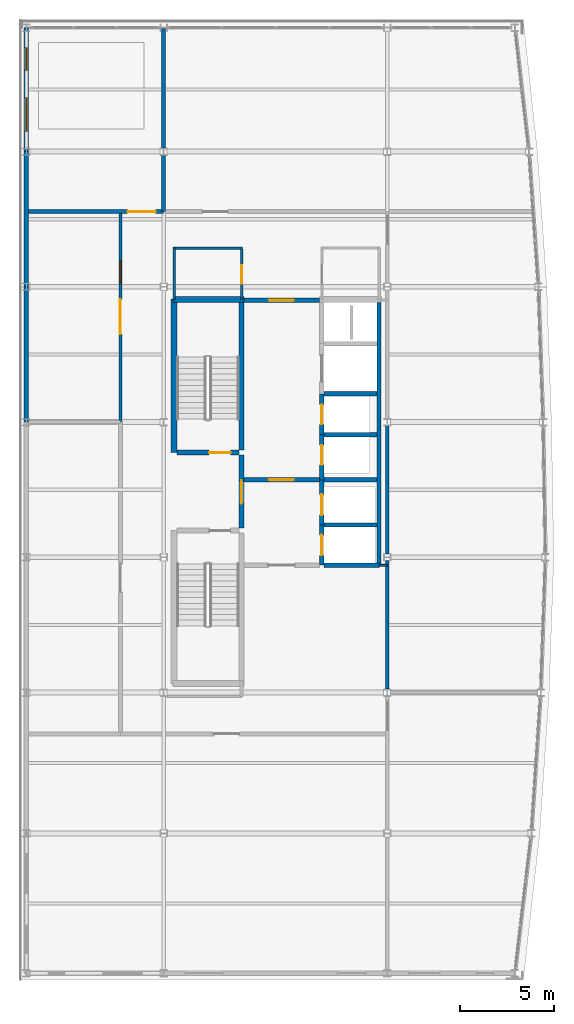
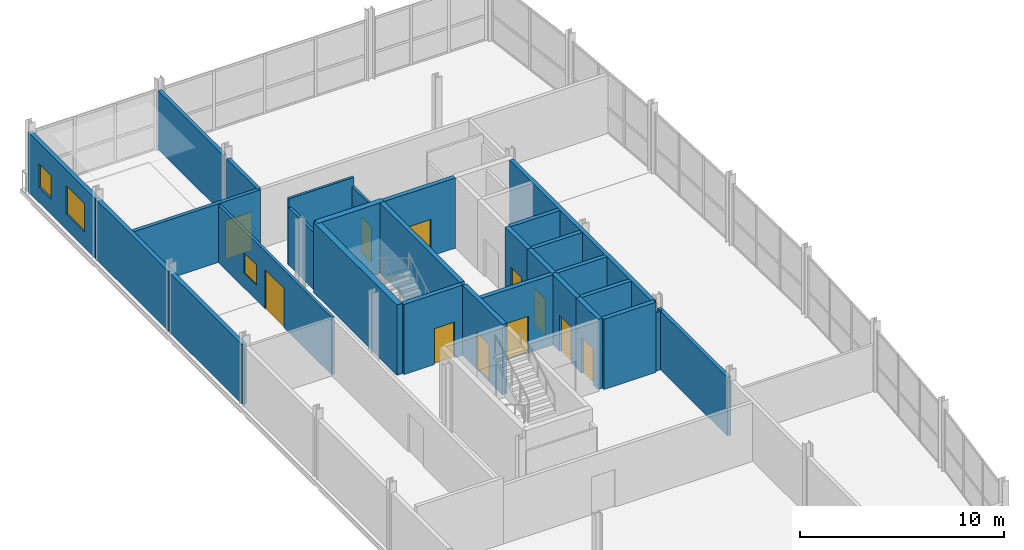
# One storey, part 16 of 20: 30 walls, 11 doors, 3 windows, 14 openings.
"""IFC4 building model written with IfcOpenShell, lengths in metres."""

from ifc_helpers import new_model, si_unit, direction, frame, frame_2d, origin, place, context, subcontext, project, spatial, rectangle, extrude, material, layer, layer_set, type_object, element, fill, save


model = new_model("IFC4")

# Units and contexts
model_context = context("Model", 3, precision=1e-05, world=origin(), true_north=direction((0.0, 1.0)))
body_context = subcontext(model_context, "Body", "Model", "MODEL_VIEW")
ifc_project = project(units=[si_unit("LENGTHUNIT", "METRE"), si_unit("AREAUNIT", "SQUARE_METRE"), si_unit("VOLUMEUNIT", "CUBIC_METRE"), si_unit("PLANEANGLEUNIT", "RADIAN"), si_unit("MASSUNIT", "GRAM", prefix="KILO")], contexts=[model_context])

# Site, building, storey
site_placement = place(None, origin())
site = spatial("IfcSite", under=ifc_project, at=site_placement, CompositionType="ELEMENT")
building_placement = place(site_placement, origin())
building = spatial("IfcBuilding", under=site, at=building_placement, Name="Quillay Park Conservatory", CompositionType="ELEMENT")
storey_placement = place(building_placement, frame((0.0, 0.0, 30.89990234375)))
storey = spatial("IfcBuildingStorey", under=building, at=storey_placement, Name="L07", CompositionType="ELEMENT", Elevation=30.89990234375)

# Wall
ifc_material_1 = material(Name="Steel-Stud Acoustic Gypsum Board Partition", Category="steel")
ifc_layer_1 = layer(ifc_material_1, 0.10498046875)
ifc_layer_set_1 = layer_set([ifc_layer_1], Name="ACOUSTIC GYPSUM PARTITION 105 (Steel-Stud Acoustic Gypsum Board Partition)")
wall_type_1 = type_object("IfcWallType", Name="ACOUSTIC GYPSUM PARTITION 105", PredefinedType="PARTITIONING", material=ifc_layer_set_1)
wall_1_placement = place(storey_placement, frame((19.320068359375, 84.77490234375, 0.0), z_axis=(0.0, 0.0, 1.0), x_axis=(1.0, 0.0, 0.0)))
element("IfcWall", 1, at=wall_1_placement, inside=storey, type_object=wall_type_1, Name="L07 Core South-East Closure", PredefinedType="PARTITIONING", context=body_context, shape_type="SweptSolid", body=[
    extrude(rectangle(XDim=0.429931640625, YDim=0.10498046875, at=frame_2d((0.21484375, 0.0))), origin(), (0.0, 0.0, 1.0), 3.51220703125),
])

# Wall, opening, door
ifc_material_2 = material(Name="Steel-Stud Acoustic Gypsum Board Partition", Category="steel")
ifc_layer_2 = layer(ifc_material_2, 0.1298828125)
ifc_layer_set_2 = layer_set([ifc_layer_2], Name="ACOUSTIC GYPSUM PARTITION 130 (Steel-Stud Acoustic Gypsum Board Partition)")
wall_type_2 = type_object("IfcWallType", Name="ACOUSTIC GYPSUM PARTITION 130", PredefinedType="PARTITIONING", material=ifc_layer_set_2)
wall_2_placement = place(storey_placement, frame((12.0, 101.60009765625, 0.0), z_axis=(0.0, 0.0, 1.0), x_axis=(0.0, -1.0, 0.0)))
wall_2 = element("IfcWall", 2, at=wall_2_placement, inside=storey, type_object=wall_type_2, Name="L07 Accessible WC Door Wall", PredefinedType="PARTITIONING", context=body_context, shape_type="SweptSolid", body=[
    extrude(rectangle(XDim=2.68017578125, YDim=0.1298828125, at=frame_2d((1.340087890625, 0.0))), origin(), (0.0, 0.0, 1.0), 3.43603515625),
])
opening_1_placement = place(wall_2_placement, frame((0.85009765625, 0.0, 0.0)))
opening_1 = element("IfcOpeningElement", 3, at=opening_1_placement, cuts=wall_2, Name="Opening D-RM03", PredefinedType="OPENING", context=body_context, shape_type="SweptSolid", body=[
    extrude(rectangle(XDim=0.97998046875, YDim=2.10009765625, at=frame_2d((0.489990234375, 1.050048828125))), frame((0.0, 0.06494140625, 0.0), z_axis=(0.0, -1.0, 0.0), x_axis=(1.0, 0.0, 0.0)), (0.0, 0.0, 1.0), 0.1298828125),
])
ifc_material_3 = material(Name="Thermally Broken Anodised Aluminium 6063-T6", Category="aluminium")
door_type_1 = type_object("IfcDoorType", Name="SINGLE SWING DOOR 980 X2100", OperationType="NOTDEFINED", PredefinedType="DOOR", material=ifc_material_3)
door_1_placement = place(opening_1_placement, origin())
door_1 = element("IfcDoor", 4, at=door_1_placement, inside=storey, type_object=door_type_1, Name="L07 Door to L07 Accessible WC", OperationType="SINGLE_SWING_LEFT", OverallHeight=2.10009765625, OverallWidth=0.97998046875, PredefinedType="DOOR", context=body_context, shape_type="SweptSolid", body=[
    extrude(rectangle(XDim=0.97998046875, YDim=2.10009765625, at=frame_2d((0.489990234375, 1.050048828125))), frame((0.0, 0.02490234375, 0.0), z_axis=(0.0, -1.0, 0.0), x_axis=(1.0, 0.0, 0.0)), (0.0, 0.0, 1.0), 0.050048828125),
])
fill(opening_1, door_1)

# Walls
ifc_material_4 = material(Name="Steel-Stud Acoustic Gypsum Board Partition", Category="steel")
ifc_layer_3 = layer(ifc_material_4, 0.139892578125)
ifc_layer_set_3 = layer_set([ifc_layer_3], Name="ACOUSTIC GYPSUM PARTITION 140 (Steel-Stud Acoustic Gypsum Board Partition)")
wall_type_3 = type_object("IfcWallType", Name="ACOUSTIC GYPSUM PARTITION 140", PredefinedType="PARTITIONING", material=ifc_layer_set_3)
wall_3_placement = place(storey_placement, frame((8.360107421875, 101.659912109375, 0.0), z_axis=(0.0, 0.0, 1.0), x_axis=(1.0, 0.0, 0.0)))
element("IfcWall", 5, at=wall_3_placement, inside=storey, type_object=wall_type_3, Name="L07 Accessible WC North Wall", PredefinedType="PARTITIONING", context=body_context, shape_type="SweptSolid", body=[
    extrude(rectangle(XDim=3.699951171875, YDim=0.139892578125, at=frame_2d((1.85009765625, 0.0))), origin(), (0.0, 0.0, 1.0), 3.9501953125),
])
ifc_material_5 = material(Name="Steel-Stud Acoustic Gypsum Board Partition", Category="steel")
ifc_layer_4 = layer(ifc_material_5, 0.14990234375)
ifc_layer_set_4 = layer_set([ifc_layer_4], Name="ACOUSTIC GYPSUM PARTITION 150 (Steel-Stud Acoustic Gypsum Board Partition)")
wall_type_4 = type_object("IfcWallType", Name="ACOUSTIC GYPSUM PARTITION 150", PredefinedType="PARTITIONING", material=ifc_layer_set_4)
wall_4_placement = place(storey_placement, frame((8.419921875, 98.919921875, 0.0), z_axis=(0.0, 0.0, 1.0), x_axis=(0.0, 1.0, 0.0)))
element("IfcWall", 6, at=wall_4_placement, inside=storey, type_object=wall_type_4, Name="L07 Accessible WC West Wall", PredefinedType="PARTITIONING", context=body_context, shape_type="SweptSolid", body=[
    extrude(rectangle(XDim=2.739990234375, YDim=0.14990234375, at=frame_2d((1.3701171875, 0.0))), origin(), (0.0, 0.0, 1.0), 3.43603515625),
])

# Wall, openings, window, door
wall_5_placement = place(storey_placement, frame((5.550048828125, 92.39990234375, 0.0), z_axis=(0.0, 0.0, 1.0), x_axis=(0.0, 1.0, 0.0)))
wall_5 = element("IfcWall", 7, at=wall_5_placement, inside=storey, type_object=wall_type_4, Name="L07 L07 Herbarium Taxonomist Curatorial Workspace Corridor Wall", PredefinedType="PARTITIONING", context=body_context, shape_type="SweptSolid", body=[
    extrude(rectangle(XDim=11.2001953125, YDim=0.14990234375, at=frame_2d((5.60009765625, 0.0))), origin(), (0.0, 0.0, 1.0), 3.43603515625),
])
opening_2_placement = place(wall_5_placement, frame((4.675048828125, 0.0, 0.0)))
opening_2 = element("IfcOpeningElement", 8, at=opening_2_placement, cuts=wall_5, Name="Opening D-RM29", PredefinedType="OPENING", context=body_context, shape_type="SweptSolid", body=[
    extrude(rectangle(XDim=1.85009765625, YDim=2.35009765625, at=frame_2d((0.925048828125, 1.175048828125))), frame((0.0, 0.074951171875, 0.0), z_axis=(0.0, -1.0, 0.0), x_axis=(1.0, 0.0, 0.0)), (0.0, 0.0, 1.0), 0.14990234375),
])
opening_3_placement = place(wall_5_placement, frame((7.375, 0.0, 0.919921875)))
opening_3 = element("IfcOpeningElement", 9, at=opening_3_placement, cuts=wall_5, Name="Opening W-IN07", PredefinedType="OPENING", context=body_context, shape_type="SweptSolid", body=[
    extrude(rectangle(XDim=1.199951171875, YDim=1.199951171875, at=frame_2d((0.60009765625, 0.60009765625))), frame((0.0, 0.074951171875, 0.0), z_axis=(0.0, -1.0, 0.0), x_axis=(1.0, 0.0, 0.0)), (0.0, 0.0, 1.0), 0.14990234375),
])
ifc_material_6 = material(Name="Low-E Double Glazing (Laminated Tempered)", Category="glass")
window_type_1 = type_object("IfcWindowType", Name="OPERABLE VENT WINDOW 1200 X1200", PartitioningType="SINGLE_PANEL", PredefinedType="WINDOW", material=ifc_material_6)
window_1_placement = place(opening_3_placement, origin())
window_1 = element("IfcWindow", 10, at=window_1_placement, inside=storey, type_object=window_type_1, Name="L07 Laboratory Vision Panel 031", OverallHeight=1.199951171875, OverallWidth=1.199951171875, PartitioningType="SINGLE_PANEL", PredefinedType="WINDOW", context=body_context, shape_type="SweptSolid", body=[
    extrude(rectangle(XDim=1.199951171875, YDim=1.199951171875, at=frame_2d((0.60009765625, 0.60009765625))), frame((0.0, 0.030029296875, 0.0), z_axis=(0.0, -1.0, 0.0), x_axis=(1.0, 0.0, 0.0)), (0.0, 0.0, 1.0), 0.06005859375),
])
fill(opening_3, window_1)
ifc_material_7 = material(Name="Thermally Broken Anodised Aluminium 6063-T6", Category="aluminium")
door_type_2 = type_object("IfcDoorType", Name="SINGLE SWING DOOR 1850 X2350", OperationType="NOTDEFINED", PredefinedType="DOOR", material=ifc_material_7)
door_2_placement = place(opening_2_placement, origin())
door_2 = element("IfcDoor", 11, at=door_2_placement, inside=storey, type_object=door_type_2, Name="L07 Door to L07 Herbarium Taxonomist Curatorial Workspace", OperationType="SINGLE_SWING_LEFT", OverallHeight=2.35009765625, OverallWidth=1.85009765625, PredefinedType="DOOR", context=body_context, shape_type="SweptSolid", body=[
    extrude(rectangle(XDim=1.85009765625, YDim=2.35009765625, at=frame_2d((0.925048828125, 1.175048828125))), frame((0.0, 0.02490234375, 0.0), z_axis=(0.0, -1.0, 0.0), x_axis=(1.0, 0.0, 0.0)), (0.0, 0.0, 1.0), 0.050048828125),
])
fill(opening_2, door_2)

# Walls
ifc_material_8 = material(Name="Concrete C35/45 (NCh170 Concrete C35/45)", Category="concrete")
ifc_layer_5 = layer(ifc_material_8, 0.22509765625)
ifc_layer_set_5 = layer_set([ifc_layer_5], Name="CORE SHEAR WALL 225 (Concrete C35/45 (NCh170 Concrete C35/45))")
wall_type_5 = type_object("IfcWallType", Name="CORE SHEAR WALL 225", PredefinedType="SHEAR", material=ifc_layer_set_5)
wall_6_placement = place(storey_placement, frame((19.320068359375, 84.800048828125, 0.0), z_axis=(0.0, 0.0, 1.0), x_axis=(0.0, 1.0, 0.0)))
element("IfcWall", 12, at=wall_6_placement, inside=storey, type_object=wall_type_5, Name="L07 Core Shear Wall WL-LFBACK-L07", PredefinedType="SHEAR", context=body_context, shape_type="SweptSolid", body=[
    extrude(rectangle(XDim=13.949951171875, YDim=0.22509765625, at=frame_2d((6.97509765625, 0.0))), origin(), (0.0, 0.0, 1.0), 4.2001953125),
])
for number, where, z_axis, x_axis, name in (
    (13, (16.39990234375, 86.925048828125, 0.0), (0.0, 0.0, 1.0), (1.0, 0.0, 0.0), "L07 Core Shear Wall WL-LFDIV-L07-869"),
    (14, (16.39990234375, 89.324951171875, 0.0), (0.0, 0.0, 1.0), (1.0, 0.0, 0.0), "L07 Core Shear Wall WL-LFDIV-L07-893"),
    (15, (16.39990234375, 91.72509765625, 0.0), (0.0, 0.0, 1.0), (1.0, 0.0, 0.0), "L07 Core Shear Wall WL-LFDIV-L07-917"),
    (16, (16.39990234375, 93.89990234375, 0.0), (0.0, 0.0, 1.0), (1.0, 0.0, 0.0), "L07 Core Shear Wall WL-LFDIV-L07-939"),
):
    element("IfcWall", number, at=place(storey_placement, frame(where, z_axis=z_axis, x_axis=x_axis)), inside=storey, type_object=wall_type_5, Name=name, PredefinedType="SHEAR", context=body_context, shape_type="SweptSolid", body=[
        extrude(rectangle(XDim=2.800048828125, YDim=0.22509765625, at=frame_2d((1.39990234375, 0.0))), origin(), (0.0, 0.0, 1.0), 4.2001953125),
    ])
ifc_material_9 = material(Name="Concrete C40/50 (NCh170 Concrete C40/50)", Category="concrete")
ifc_layer_6 = layer(ifc_material_9, 0.25)
ifc_layer_set_6 = layer_set([ifc_layer_6], Name="CORE SHEAR WALL 250 (Concrete C40/50 (NCh170 Concrete C40/50))")
wall_type_6 = type_object("IfcWallType", Name="CORE SHEAR WALL 250", PredefinedType="SHEAR", material=ifc_layer_set_6)
wall_7_placement = place(storey_placement, frame((11.9951171875, 90.89990234375, 0.0), z_axis=(0.0, 0.0, 1.0), x_axis=(0.0, 1.0, 0.0)))
element("IfcWall", 17, at=wall_7_placement, inside=storey, type_object=wall_type_6, Name="L07 Core Shear Wall WL-T1E-L07", PredefinedType="SHEAR", context=body_context, shape_type="SweptSolid", body=[
    extrude(rectangle(XDim=7.85009765625, YDim=0.25, at=frame_2d((3.925048828125, 0.0))), origin(), (0.0, 0.0, 1.0), 4.2001953125),
])

# Wall, opening, door
wall_8_placement = place(storey_placement, frame((11.9951171875, 86.75, 0.0), z_axis=(0.0, 0.0, 1.0), x_axis=(0.0, 1.0, 0.0)))
wall_8 = element("IfcWall", 18, at=wall_8_placement, inside=storey, type_object=wall_type_6, Name="L07 Core Shear Wall WL-FFW-L07", PredefinedType="SHEAR", context=body_context, shape_type="SweptSolid", body=[
    extrude(rectangle(XDim=3.89990234375, YDim=0.25, at=frame_2d((1.949951171875, 0.0))), origin(), (0.0, 0.0, 1.0), 4.2001953125),
])
opening_4_placement = place(wall_8_placement, frame((1.300048828125, 0.0, 0.0)))
opening_4 = element("IfcOpeningElement", 19, at=opening_4_placement, cuts=wall_8, Name="Opening D-LB01", PredefinedType="OPENING", context=body_context, shape_type="SweptSolid", body=[
    extrude(rectangle(XDim=1.25, YDim=2.199951171875, at=frame_2d((0.625, 1.10009765625))), frame((0.0, 0.125, 0.0), z_axis=(0.0, -1.0, 0.0), x_axis=(1.0, 0.0, 0.0)), (0.0, 0.0, 1.0), 0.25),
])
ifc_material_10 = material(Name="Steel ASTM A572 Grade 50", Category="steel")
door_type_3 = type_object("IfcDoorType", Name="FIRE RATED LOBBY DOOR 1250 X2200", OperationType="NOTDEFINED", PredefinedType="DOOR", material=ifc_material_10)
door_3_placement = place(opening_4_placement, origin())
door_3 = element("IfcDoor", 20, at=door_3_placement, inside=storey, type_object=door_type_3, Name="L07 Firefighting Lobby Corridor Door", OperationType="SINGLE_SWING_LEFT", OverallHeight=2.199951171875, OverallWidth=1.25, PredefinedType="DOOR", context=body_context, shape_type="SweptSolid", body=[
    extrude(rectangle(XDim=1.25, YDim=2.199951171875, at=frame_2d((0.625, 1.10009765625))), frame((0.0, 0.02490234375, 0.0), z_axis=(0.0, -1.0, 0.0), x_axis=(1.0, 0.0, 0.0)), (0.0, 0.0, 1.0), 0.050048828125),
])
fill(opening_4, door_3)

wall_9_placement = place(storey_placement, frame((12.1201171875, 98.875, 0.0), z_axis=(0.0, 0.0, 1.0), x_axis=(1.0, 0.0, 0.0)))
wall_9 = element("IfcWall", 21, at=wall_9_placement, inside=storey, type_object=wall_type_6, Name="L07 Core Shear Wall WL-PAXN-L07", PredefinedType="SHEAR", context=body_context, shape_type="SweptSolid", body=[
    extrude(rectangle(XDim=4.02978515625, YDim=0.25, at=frame_2d((2.014892578125, 0.0))), origin(), (0.0, 0.0, 1.0), 4.2001953125),
])
opening_5_placement = place(wall_9_placement, frame((1.35009765625, 0.0, 0.0)))
opening_5 = element("IfcOpeningElement", 22, at=opening_5_placement, cuts=wall_9, Name="Opening D-LB02", PredefinedType="OPENING", context=body_context, shape_type="SweptSolid", body=[
    extrude(rectangle(XDim=1.300048828125, YDim=2.199951171875, at=frame_2d((0.64990234375, 1.10009765625))), frame((0.0, 0.125, 0.0), z_axis=(0.0, -1.0, 0.0), x_axis=(1.0, 0.0, 0.0)), (0.0, 0.0, 1.0), 0.25),
])
ifc_material_11 = material(Name="Steel ASTM A572 Grade 50", Category="steel")
door_type_4 = type_object("IfcDoorType", Name="FIRE RATED LOBBY DOOR 1300 X2200", OperationType="NOTDEFINED", PredefinedType="DOOR", material=ifc_material_11)
door_4_placement = place(opening_5_placement, origin())
door_4 = element("IfcDoor", 23, at=door_4_placement, inside=storey, type_object=door_type_4, Name="L07 North Lift Lobby Door", OperationType="SINGLE_SWING_RIGHT", OverallHeight=2.199951171875, OverallWidth=1.300048828125, PredefinedType="DOOR", context=body_context, shape_type="SweptSolid", body=[
    extrude(rectangle(XDim=1.300048828125, YDim=2.199951171875, at=frame_2d((0.64990234375, 1.10009765625))), frame((0.0, 0.02490234375, 0.0), z_axis=(0.0, -1.0, 0.0), x_axis=(1.0, 0.0, 0.0)), (0.0, 0.0, 1.0), 0.050048828125),
])
fill(opening_5, door_4)

wall_10_placement = place(storey_placement, frame((11.8701171875, 90.77490234375, 0.0), z_axis=(0.0, 0.0, 1.0), x_axis=(-1.0, 0.0, 0.0)))
wall_10 = element("IfcWall", 24, at=wall_10_placement, inside=storey, type_object=wall_type_6, Name="L07 Core Shear Wall WL-ST1D-L07", PredefinedType="SHEAR", context=body_context, shape_type="SweptSolid", body=[
    extrude(rectangle(XDim=3.320068359375, YDim=0.25, at=frame_2d((1.66015625, 0.0))), origin(), (0.0, 0.0, 1.0), 4.2001953125),
])
opening_6_placement = place(wall_10_placement, frame((0.449951171875, 0.0, 0.0)))
opening_6 = element("IfcOpeningElement", 25, at=opening_6_placement, cuts=wall_10, Name="Opening D-ST02", PredefinedType="OPENING", context=body_context, shape_type="SweptSolid", body=[
    extrude(rectangle(XDim=1.14990234375, YDim=2.14990234375, at=frame_2d((0.574951171875, 1.074951171875))), frame((0.0, 0.125, 0.0), z_axis=(0.0, -1.0, 0.0), x_axis=(1.0, 0.0, 0.0)), (0.0, 0.0, 1.0), 0.25),
])
ifc_material_12 = material(Name="Steel ASTM A572 Grade 50", Category="steel")
door_type_5 = type_object("IfcDoorType", Name="FIRE RATED STAIR DOOR 1150 X2150", OperationType="NOTDEFINED", PredefinedType="DOOR", material=ifc_material_12)
door_5_placement = place(opening_6_placement, origin())
door_5 = element("IfcDoor", 26, at=door_5_placement, inside=storey, type_object=door_type_5, Name="L07 Protected Stair ST-T1 Door", OperationType="SINGLE_SWING_RIGHT", OverallHeight=2.14990234375, OverallWidth=1.14990234375, PredefinedType="DOOR", context=body_context, shape_type="SweptSolid", body=[
    extrude(rectangle(XDim=1.14990234375, YDim=2.14990234375, at=frame_2d((0.574951171875, 1.074951171875))), frame((0.0, 0.02490234375, 0.0), z_axis=(0.0, -1.0, 0.0), x_axis=(1.0, 0.0, 0.0)), (0.0, 0.0, 1.0), 0.050048828125),
])
fill(opening_6, door_5)

wall_11_placement = place(storey_placement, frame((12.1201171875, 89.324951171875, 0.0), z_axis=(0.0, 0.0, 1.0), x_axis=(1.0, 0.0, 0.0)))
wall_11 = element("IfcWall", 27, at=wall_11_placement, inside=storey, type_object=wall_type_6, Name="L07 Core Shear Wall WL-FFDIV-L07", PredefinedType="SHEAR", context=body_context, shape_type="SweptSolid", body=[
    extrude(rectangle(XDim=4.02978515625, YDim=0.25, at=frame_2d((2.014892578125, 0.0))), origin(), (0.0, 0.0, 1.0), 4.2001953125),
])
opening_7_placement = place(wall_11_placement, frame((1.35009765625, 0.0, 0.0)))
opening_7 = element("IfcOpeningElement", 28, at=opening_7_placement, cuts=wall_11, Name="Opening D-LB02", PredefinedType="OPENING", context=body_context, shape_type="SweptSolid", body=[
    extrude(rectangle(XDim=1.300048828125, YDim=2.199951171875, at=frame_2d((0.64990234375, 1.10009765625))), frame((0.0, 0.125, 0.0), z_axis=(0.0, -1.0, 0.0), x_axis=(1.0, 0.0, 0.0)), (0.0, 0.0, 1.0), 0.25),
])
door_6_placement = place(opening_7_placement, origin())
door_6 = element("IfcDoor", 29, at=door_6_placement, inside=storey, type_object=door_type_4, Name="L07 Firefighting to Passenger Lobby Door", OperationType="SINGLE_SWING_LEFT", OverallHeight=2.199951171875, OverallWidth=1.300048828125, PredefinedType="DOOR", context=body_context, shape_type="SweptSolid", body=[
    extrude(rectangle(XDim=1.300048828125, YDim=2.199951171875, at=frame_2d((0.64990234375, 1.10009765625))), frame((0.0, 0.02490234375, 0.0), z_axis=(0.0, -1.0, 0.0), x_axis=(1.0, 0.0, 0.0)), (0.0, 0.0, 1.0), 0.050048828125),
])
fill(opening_7, door_6)

# Wall
wall_12_placement = place(storey_placement, frame((16.39990234375, 84.77490234375, 0.0), z_axis=(0.0, 0.0, 1.0), x_axis=(1.0, 0.0, 0.0)))
element("IfcWall", 30, at=wall_12_placement, inside=storey, type_object=wall_type_6, Name="L07 Core Shear Wall WL-LFSO-L07", PredefinedType="SHEAR", context=body_context, shape_type="SweptSolid", body=[
    extrude(rectangle(XDim=2.9501953125, YDim=0.25, at=frame_2d((1.47509765625, 0.0))), origin(), (0.0, 0.0, 1.0), 4.2001953125),
])

# Wall, opening, door
wall_13_placement = place(storey_placement, frame((16.27490234375, 84.800048828125, 0.0), z_axis=(0.0, 0.0, 1.0), x_axis=(0.0, 1.0, 0.0)))
wall_13 = element("IfcWall", 31, at=wall_13_placement, inside=storey, type_object=wall_type_6, Name="L07 Core Shear Wall WL-LFFR-L07-LF-FF1", PredefinedType="SHEAR", context=body_context, shape_type="SweptSolid", body=[
    extrude(rectangle(XDim=2.125, YDim=0.25, at=frame_2d((1.0625, 0.0))), origin(), (0.0, 0.0, 1.0), 4.2001953125),
])
opening_8_placement = place(wall_13_placement, frame((0.5, 0.0, 0.0)))
opening_8 = element("IfcOpeningElement", 32, at=opening_8_placement, cuts=wall_13, Name="Opening LD01", PredefinedType="OPENING", context=body_context, shape_type="SweptSolid", body=[
    extrude(rectangle(XDim=1.10009765625, YDim=2.14990234375, at=frame_2d((0.550048828125, 1.074951171875))), frame((0.0, 0.125, 0.0), z_axis=(0.0, -1.0, 0.0), x_axis=(1.0, 0.0, 0.0)), (0.0, 0.0, 1.0), 0.25),
])
ifc_material_13 = material(Name="Steel ASTM A572 Grade 50", Category="steel")
door_type_6 = type_object("IfcDoorType", Name="LIFT LANDING SLIDING DOOR 1100 X2150", OperationType="NOTDEFINED", PredefinedType="DOOR", material=ifc_material_13)
door_7_placement = place(opening_8_placement, origin())
door_7 = element("IfcDoor", 33, at=door_7_placement, inside=storey, type_object=door_type_6, Name="L07 LF-FF1 Lift Landing Door LD01", OperationType="SLIDING_TO_LEFT", OverallHeight=2.14990234375, OverallWidth=1.10009765625, PredefinedType="DOOR", context=body_context, shape_type="SweptSolid", body=[
    extrude(rectangle(XDim=1.10009765625, YDim=2.14990234375, at=frame_2d((0.550048828125, 1.074951171875))), frame((0.0, 0.02490234375, 0.0), z_axis=(0.0, -1.0, 0.0), x_axis=(1.0, 0.0, 0.0)), (0.0, 0.0, 1.0), 0.050048828125),
])
fill(opening_8, door_7)

wall_14_placement = place(storey_placement, frame((16.27490234375, 86.925048828125, 0.0), z_axis=(0.0, 0.0, 1.0), x_axis=(0.0, 1.0, 0.0)))
wall_14 = element("IfcWall", 34, at=wall_14_placement, inside=storey, type_object=wall_type_6, Name="L07 Core Shear Wall WL-LFFR-L07-LF-FF2", PredefinedType="SHEAR", context=body_context, shape_type="SweptSolid", body=[
    extrude(rectangle(XDim=2.39990234375, YDim=0.25, at=frame_2d((1.199951171875, 0.0))), origin(), (0.0, 0.0, 1.0), 4.2001953125),
])
opening_9_placement = place(wall_14_placement, frame((0.52490234375, 0.0, 0.0)))
opening_9 = element("IfcOpeningElement", 35, at=opening_9_placement, cuts=wall_14, Name="Opening LD01", PredefinedType="OPENING", context=body_context, shape_type="SweptSolid", body=[
    extrude(rectangle(XDim=1.10009765625, YDim=2.14990234375, at=frame_2d((0.550048828125, 1.074951171875))), frame((0.0, 0.125, 0.0), z_axis=(0.0, -1.0, 0.0), x_axis=(1.0, 0.0, 0.0)), (0.0, 0.0, 1.0), 0.25),
])
door_8_placement = place(opening_9_placement, origin())
door_8 = element("IfcDoor", 36, at=door_8_placement, inside=storey, type_object=door_type_6, Name="L07 LF-FF2 Lift Landing Door LD01", OperationType="SLIDING_TO_LEFT", OverallHeight=2.14990234375, OverallWidth=1.10009765625, PredefinedType="DOOR", context=body_context, shape_type="SweptSolid", body=[
    extrude(rectangle(XDim=1.10009765625, YDim=2.14990234375, at=frame_2d((0.550048828125, 1.074951171875))), frame((0.0, 0.02490234375, 0.0), z_axis=(0.0, -1.0, 0.0), x_axis=(1.0, 0.0, 0.0)), (0.0, 0.0, 1.0), 0.050048828125),
])
fill(opening_9, door_8)

wall_15_placement = place(storey_placement, frame((16.27490234375, 89.324951171875, 0.0), z_axis=(0.0, 0.0, 1.0), x_axis=(0.0, 1.0, 0.0)))
wall_15 = element("IfcWall", 37, at=wall_15_placement, inside=storey, type_object=wall_type_6, Name="L07 Core Shear Wall WL-LFFR-L07-LF-P1", PredefinedType="SHEAR", context=body_context, shape_type="SweptSolid", body=[
    extrude(rectangle(XDim=2.400146484375, YDim=0.25, at=frame_2d((1.2001953125, 0.0))), origin(), (0.0, 0.0, 1.0), 4.2001953125),
])
opening_10_placement = place(wall_15_placement, frame((0.800048828125, 0.0, 0.0)))
opening_10 = element("IfcOpeningElement", 38, at=opening_10_placement, cuts=wall_15, Name="Opening LD02", PredefinedType="OPENING", context=body_context, shape_type="SweptSolid", body=[
    extrude(rectangle(XDim=1.050048828125, YDim=2.14990234375, at=frame_2d((0.52490234375, 1.074951171875))), frame((0.0, 0.125, 0.0), z_axis=(0.0, -1.0, 0.0), x_axis=(1.0, 0.0, 0.0)), (0.0, 0.0, 1.0), 0.25),
])
ifc_material_14 = material(Name="Steel ASTM A572 Grade 50", Category="steel")
door_type_7 = type_object("IfcDoorType", Name="LIFT LANDING SLIDING DOOR 1050 X2150", OperationType="NOTDEFINED", PredefinedType="DOOR", material=ifc_material_14)
door_9_placement = place(opening_10_placement, origin())
door_9 = element("IfcDoor", 39, at=door_9_placement, inside=storey, type_object=door_type_7, Name="L07 LF-P1 Lift Landing Door LD02", OperationType="SLIDING_TO_LEFT", OverallHeight=2.14990234375, OverallWidth=1.050048828125, PredefinedType="DOOR", context=body_context, shape_type="SweptSolid", body=[
    extrude(rectangle(XDim=1.050048828125, YDim=2.14990234375, at=frame_2d((0.52490234375, 1.074951171875))), frame((0.0, 0.02490234375, 0.0), z_axis=(0.0, -1.0, 0.0), x_axis=(1.0, 0.0, 0.0)), (0.0, 0.0, 1.0), 0.050048828125),
])
fill(opening_10, door_9)

wall_16_placement = place(storey_placement, frame((16.27490234375, 91.72509765625, 0.0), z_axis=(0.0, 0.0, 1.0), x_axis=(0.0, 1.0, 0.0)))
wall_16 = element("IfcWall", 40, at=wall_16_placement, inside=storey, type_object=wall_type_6, Name="L07 Core Shear Wall WL-LFFR-L07-LF-P2", PredefinedType="SHEAR", context=body_context, shape_type="SweptSolid", body=[
    extrude(rectangle(XDim=2.1748046875, YDim=0.25, at=frame_2d((1.08740234375, 0.0))), origin(), (0.0, 0.0, 1.0), 4.2001953125),
])
opening_11_placement = place(wall_16_placement, frame((0.550048828125, 0.0, 0.0)))
opening_11 = element("IfcOpeningElement", 41, at=opening_11_placement, cuts=wall_16, Name="Opening LD02", PredefinedType="OPENING", context=body_context, shape_type="SweptSolid", body=[
    extrude(rectangle(XDim=1.050048828125, YDim=2.14990234375, at=frame_2d((0.52490234375, 1.074951171875))), frame((0.0, 0.125, 0.0), z_axis=(0.0, -1.0, 0.0), x_axis=(1.0, 0.0, 0.0)), (0.0, 0.0, 1.0), 0.25),
])
door_10_placement = place(opening_11_placement, origin())
door_10 = element("IfcDoor", 42, at=door_10_placement, inside=storey, type_object=door_type_7, Name="L07 LF-P2 Lift Landing Door LD02", OperationType="SLIDING_TO_LEFT", OverallHeight=2.14990234375, OverallWidth=1.050048828125, PredefinedType="DOOR", context=body_context, shape_type="SweptSolid", body=[
    extrude(rectangle(XDim=1.050048828125, YDim=2.14990234375, at=frame_2d((0.52490234375, 1.074951171875))), frame((0.0, 0.02490234375, 0.0), z_axis=(0.0, -1.0, 0.0), x_axis=(1.0, 0.0, 0.0)), (0.0, 0.0, 1.0), 0.050048828125),
])
fill(opening_11, door_10)

# Walls
ifc_material_15 = material(Name="Concrete C40/50 (NCh170 Concrete C40/50)", Category="concrete")
ifc_layer_7 = layer(ifc_material_15, 0.320068359375)
ifc_layer_set_7 = layer_set([ifc_layer_7], Name="CORE SHEAR WALL 320 (Concrete C40/50 (NCh170 Concrete C40/50))")
wall_type_7 = type_object("IfcWallType", Name="CORE SHEAR WALL 320", PredefinedType="SHEAR", material=ifc_layer_set_7)
wall_17_placement = place(storey_placement, frame((8.389892578125, 90.77490234375, 0.0), z_axis=(0.0, 0.0, 1.0), x_axis=(0.0, 1.0, 0.0)))
element("IfcWall", 43, at=wall_17_placement, inside=storey, type_object=wall_type_7, Name="L07 Core Shear Wall WL-TCW-N-L07", PredefinedType="SHEAR", context=body_context, shape_type="SweptSolid", body=[
    extrude(rectangle(XDim=8.175048828125, YDim=0.320068359375, at=frame_2d((4.08740234375, 0.0))), origin(), (0.0, 0.0, 1.0), 4.2001953125),
])
wall_18_placement = place(storey_placement, frame((8.35009765625, 98.909912109375, 0.0), z_axis=(0.0, 0.0, 1.0), x_axis=(1.0, 0.0, 0.0)))
element("IfcWall", 44, at=wall_18_placement, inside=storey, type_object=wall_type_7, Name="L07 Core Shear Wall WL-TCN-W-L07", PredefinedType="SHEAR", context=body_context, shape_type="SweptSolid", body=[
    extrude(rectangle(XDim=3.77001953125, YDim=0.320068359375, at=frame_2d((1.885009765625, 0.0))), origin(), (0.0, 0.0, 1.0), 4.2001953125),
])
ifc_material_16 = material(Name="Glass-Fibre Reinforced Concrete (GRC) Cladding", Category="concrete")
ifc_layer_8 = layer(ifc_material_16, 0.239990234375)
ifc_layer_set_8 = layer_set([ifc_layer_8], Name="EXTERIOR SOLID WALL 240 (Glass-Fibre Reinforced Concrete (GRC) Cladding)")
wall_type_8 = type_object("IfcWallType", Name="EXTERIOR SOLID WALL 240", PredefinedType="SOLIDWALL", material=ifc_layer_set_8)
wall_19_placement = place(storey_placement, frame((0.550048828125, 92.39990234375, 0.0), z_axis=(0.0, 0.0, 1.0), x_axis=(0.0, 1.0, 0.0)))
element("IfcWall", 45, at=wall_19_placement, inside=storey, type_object=wall_type_8, Name="L07 External Wall WL-EXT-V4W-L07-4", PredefinedType="SOLIDWALL", context=body_context, shape_type="SweptSolid", body=[
    extrude(rectangle(XDim=7.2001953125, YDim=0.239990234375, at=frame_2d((3.60009765625, 0.0))), origin(), (0.0, 0.0, 1.0), 3.56201171875),
])
wall_20_placement = place(storey_placement, frame((0.550048828125, 99.60009765625, 0.0), z_axis=(0.0, 0.0, 1.0), x_axis=(0.0, 1.0, 0.0)))
element("IfcWall", 46, at=wall_20_placement, inside=storey, type_object=wall_type_8, Name="L07 External Wall WL-EXT-V4W-L07-5", PredefinedType="SOLIDWALL", context=body_context, shape_type="SweptSolid", body=[
    extrude(rectangle(XDim=7.199951171875, YDim=0.239990234375, at=frame_2d((3.60009765625, 0.0))), origin(), (0.0, 0.0, 1.0), 3.56201171875),
])

# Wall, openings, windows
wall_21_placement = place(storey_placement, frame((0.550048828125, 106.800048828125, 0.0), z_axis=(0.0, 0.0, 1.0), x_axis=(0.0, 1.0, 0.0)))
wall_21 = element("IfcWall", 47, at=wall_21_placement, inside=storey, type_object=wall_type_8, Name="L07 External Wall WL-EXT-V4W-L07-6", PredefinedType="SOLIDWALL", context=body_context, shape_type="SweptSolid", body=[
    extrude(rectangle(XDim=6.599853515625, YDim=0.239990234375, at=frame_2d((3.2998046875, 0.0))), origin(), (0.0, 0.0, 1.0), 3.56201171875),
])
opening_12_placement = place(wall_21_placement, frame((1.070068359375, 0.0, 0.919921875)))
opening_12 = element("IfcOpeningElement", 48, at=opening_12_placement, cuts=wall_21, Name="Opening W-14", PredefinedType="OPENING", context=body_context, shape_type="SweptSolid", body=[
    extrude(rectangle(XDim=1.800048828125, YDim=1.699951171875, at=frame_2d((0.89990234375, 0.85009765625))), frame((0.0, 0.1201171875, 0.0), z_axis=(0.0, -1.0, 0.0), x_axis=(1.0, 0.0, 0.0)), (0.0, 0.0, 1.0), 0.239990234375),
])
opening_13_placement = place(wall_21_placement, frame((4.330078125, 0.0, 0.919921875)))
opening_13 = element("IfcOpeningElement", 49, at=opening_13_placement, cuts=wall_21, Name="Opening W-01", PredefinedType="OPENING", context=body_context, shape_type="SweptSolid", body=[
    extrude(rectangle(XDim=1.199951171875, YDim=1.39990234375, at=frame_2d((0.60009765625, 0.699951171875))), frame((0.0, 0.1201171875, 0.0), z_axis=(0.0, -1.0, 0.0), x_axis=(1.0, 0.0, 0.0)), (0.0, 0.0, 1.0), 0.239990234375),
])
ifc_material_17 = material(Name="Low-E Double Glazing (Laminated Tempered)", Category="glass")
window_type_2 = type_object("IfcWindowType", Name="FIXED CASEMENT WINDOW 1200 X1400", PartitioningType="SINGLE_PANEL", PredefinedType="WINDOW", material=ifc_material_17)
window_2_placement = place(opening_13_placement, origin())
window_2 = element("IfcWindow", 50, at=window_2_placement, inside=storey, type_object=window_type_2, Name="L07 Exterior Window 0196", OverallHeight=1.39990234375, OverallWidth=1.199951171875, PartitioningType="SINGLE_PANEL", PredefinedType="WINDOW", context=body_context, shape_type="SweptSolid", body=[
    extrude(rectangle(XDim=1.199951171875, YDim=1.39990234375, at=frame_2d((0.60009765625, 0.699951171875))), frame((0.0, 0.030029296875, 0.0), z_axis=(0.0, -1.0, 0.0), x_axis=(1.0, 0.0, 0.0)), (0.0, 0.0, 1.0), 0.06005859375),
])
fill(opening_13, window_2)
ifc_material_18 = material(Name="Low-E Double Glazing (Laminated Tempered)", Category="glass")
window_type_3 = type_object("IfcWindowType", Name="FIXED CASEMENT WINDOW 1800 X1700", PartitioningType="DOUBLE_PANEL_VERTICAL", PredefinedType="WINDOW", material=ifc_material_18)
window_3_placement = place(opening_12_placement, origin())
window_3 = element("IfcWindow", 51, at=window_3_placement, inside=storey, type_object=window_type_3, Name="L07 Exterior Window 0195", OverallHeight=1.699951171875, OverallWidth=1.800048828125, PartitioningType="DOUBLE_PANEL_VERTICAL", PredefinedType="WINDOW", context=body_context, shape_type="SweptSolid", body=[
    extrude(rectangle(XDim=1.800048828125, YDim=1.699951171875, at=frame_2d((0.89990234375, 0.85009765625))), frame((0.0, 0.030029296875, 0.0), z_axis=(0.0, -1.0, 0.0), x_axis=(1.0, 0.0, 0.0)), (0.0, 0.0, 1.0), 0.06005859375),
])
fill(opening_12, window_3)

# Wall, opening, door
ifc_material_19 = material(Name="Concrete C35/45 (NCh170 Concrete C35/45)", Category="concrete")
ifc_layer_9 = layer(ifc_material_19, 0.199951171875)
ifc_layer_set_9 = layer_set([ifc_layer_9], Name="SOLID VAULT WALL 200 (Concrete C35/45 (NCh170 Concrete C35/45))")
wall_type_9 = type_object("IfcWallType", Name="SOLID VAULT WALL 200", PredefinedType="SOLIDWALL", material=ifc_layer_set_9)
wall_22_placement = place(storey_placement, frame((0.64990234375, 103.60009765625, 0.0), z_axis=(0.0, 0.0, 1.0), x_axis=(1.0, 0.0, 0.0)))
wall_22 = element("IfcWall", 52, at=wall_22_placement, inside=storey, type_object=wall_type_9, Name="L07 L07 Carpological and Fruit Collection Vault South Wall", PredefinedType="SOLIDWALL", context=body_context, shape_type="SweptSolid", body=[
    extrude(rectangle(XDim=7.2001953125, YDim=0.199951171875, at=frame_2d((3.60009765625, 0.0))), origin(), (0.0, 0.0, 1.0), 3.51220703125),
])
opening_14_placement = place(wall_22_placement, frame((5.280029296875, 0.0, 0.0)))
opening_14 = element("IfcOpeningElement", 53, at=opening_14_placement, cuts=wall_22, Name="Opening D-HB02", PredefinedType="OPENING", context=body_context, shape_type="SweptSolid", body=[
    extrude(rectangle(XDim=1.5, YDim=2.300048828125, at=frame_2d((0.75, 1.14990234375))), frame((0.0, 0.10009765625, 0.0), z_axis=(0.0, -1.0, 0.0), x_axis=(1.0, 0.0, 0.0)), (0.0, 0.0, 1.0), 0.199951171875),
])
ifc_material_20 = material(Name="Steel ASTM A572 Grade 50", Category="steel")
door_type_8 = type_object("IfcDoorType", Name="FIRE RATED VAULT DOOR 1500 X2300", OperationType="NOTDEFINED", PredefinedType="DOOR", material=ifc_material_20)
door_11_placement = place(opening_14_placement, origin())
door_11 = element("IfcDoor", 54, at=door_11_placement, inside=storey, type_object=door_type_8, Name="L07 Door to L07 Carpological and Fruit Collection Vault", OperationType="SINGLE_SWING_RIGHT", OverallHeight=2.300048828125, OverallWidth=1.5, PredefinedType="DOOR", context=body_context, shape_type="SweptSolid", body=[
    extrude(rectangle(XDim=1.5, YDim=2.300048828125, at=frame_2d((0.75, 1.14990234375))), frame((0.0, 0.02490234375, 0.0), z_axis=(0.0, -1.0, 0.0), x_axis=(1.0, 0.0, 0.0)), (0.0, 0.0, 1.0), 0.050048828125),
])
fill(opening_14, door_11)

# Walls
wall_23_placement = place(storey_placement, frame((7.85009765625, 106.618896484375, 0.0), z_axis=(0.0, 0.0, 1.0), x_axis=(0.0, -1.0, 0.0)))
element("IfcWall", 55, at=wall_23_placement, inside=storey, type_object=wall_type_9, Name="L07 North Divider 7 S", PredefinedType="SOLIDWALL", context=body_context, shape_type="SweptSolid", body=[
    extrude(rectangle(XDim=3.018798828125, YDim=0.199951171875, at=frame_2d((1.50927734375, 0.0))), origin(), (0.0, 0.0, 1.0), 3.51220703125),
])
wall_24_placement = place(storey_placement, frame((7.85009765625, 113.35009765625, 0.0), z_axis=(0.0, 0.0, 1.0), x_axis=(0.0, -1.0, 0.0)))
element("IfcWall", 56, at=wall_24_placement, inside=storey, type_object=wall_type_9, Name="L07 North Divider 7 N", PredefinedType="SOLIDWALL", context=body_context, shape_type="SweptSolid", body=[
    extrude(rectangle(XDim=6.369140625, YDim=0.199951171875, at=frame_2d((3.1845703125, 0.0))), origin(), (0.0, 0.0, 1.0), 3.51220703125),
])
wall_25_placement = place(storey_placement, frame((19.75, 78.180908203125, 0.0), z_axis=(0.0, 0.0, 1.0), x_axis=(0.0, 1.0, 0.0)))
element("IfcWall", 57, at=wall_25_placement, inside=storey, type_object=wall_type_9, Name="L07 L07 Historical Type Specimen Safe Room West Wall 1", PredefinedType="SOLIDWALL", context=body_context, shape_type="SweptSolid", body=[
    extrude(rectangle(XDim=6.837158203125, YDim=0.199951171875, at=frame_2d((3.41845703125, 0.0))), origin(), (0.0, 0.0, 1.0), 3.51220703125),
])
wall_26_placement = place(storey_placement, frame((19.75, 85.382080078125, 0.0), z_axis=(0.0, 0.0, 1.0), x_axis=(0.0, 1.0, 0.0)))
element("IfcWall", 58, at=wall_26_placement, inside=storey, type_object=wall_type_9, Name="L07 L07 Historical Type Specimen Safe Room West Wall 2", PredefinedType="SOLIDWALL", context=body_context, shape_type="SweptSolid", body=[
    extrude(rectangle(XDim=6.8369140625, YDim=0.199951171875, at=frame_2d((3.41845703125, 0.0))), origin(), (0.0, 0.0, 1.0), 3.51220703125),
])

save(model, "model.ifc")
